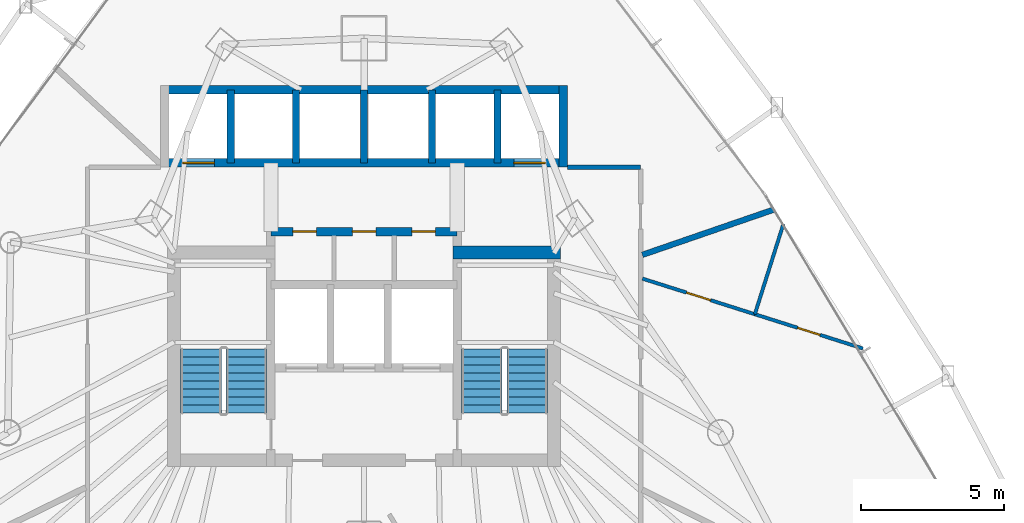
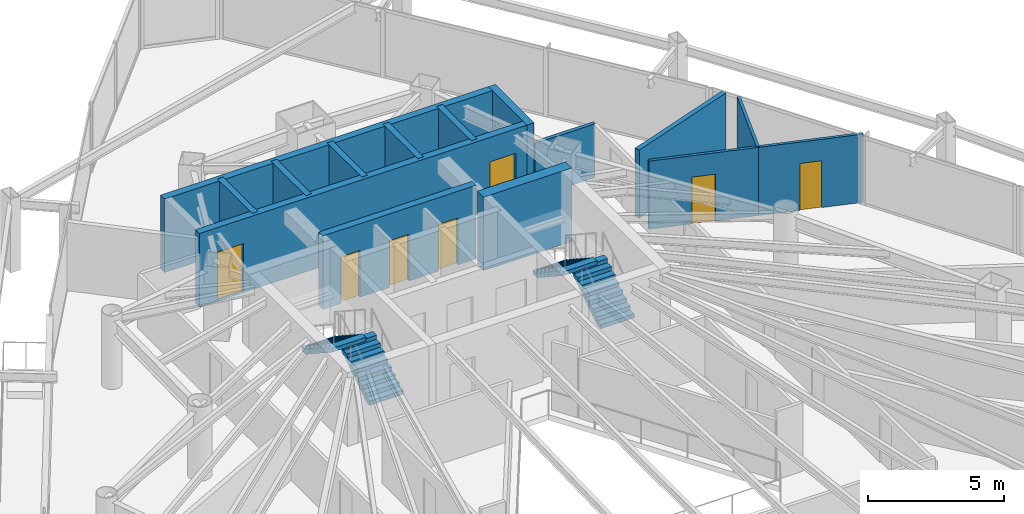
# One storey, part 31 of 35: 15 walls, 7 doors, 4 stair flights, 7 openings, 2 elements without a shape of their own.
"""IFC4 building model written with IfcOpenShell, lengths in metres."""

from ifc_helpers import new_model, si_unit, direction, frame, frame_2d, origin, place, context, subcontext, project, spatial, polyline, rectangle, outline, extrude, material, layer, layer_set, type_object, element, fill, aggregate, save


model = new_model("IFC4")

# Units and contexts
model_context = context("Model", 3, precision=1e-05, world=origin(), true_north=direction((0.0, 1.0)))
body_context = subcontext(model_context, "Body", "Model", "MODEL_VIEW")
ifc_project = project(units=[si_unit("LENGTHUNIT", "METRE"), si_unit("AREAUNIT", "SQUARE_METRE"), si_unit("VOLUMEUNIT", "CUBIC_METRE"), si_unit("PLANEANGLEUNIT", "RADIAN"), si_unit("MASSUNIT", "GRAM", prefix="KILO")], contexts=[model_context])

# Site, building, storey
site_placement = place(None, origin())
site = spatial("IfcSite", under=ifc_project, at=site_placement, CompositionType="ELEMENT")
building_placement = place(site_placement, origin())
building = spatial("IfcBuilding", under=site, at=building_placement, Name="Orvanel Arch Residences", CompositionType="ELEMENT")
storey_placement = place(building_placement, frame((0.0, 0.0, 36.800048828125)))
storey = spatial("IfcBuildingStorey", under=building, at=storey_placement, Name="L09", CompositionType="ELEMENT", Elevation=36.800048828125)

# Walls
ifc_material_1 = material(Name="Concrete N50 (50 MPa)", Category="concrete")
ifc_layer_1 = layer(ifc_material_1, 0.25)
ifc_layer_set_1 = layer_set([ifc_layer_1], Name="Concrete N50 (50 MPa)")
wall_type_1 = type_object("IfcWallType", Name="SW-CORE-250", PredefinedType="SHEAR", material=ifc_layer_set_1)
for number, where, z_axis, x_axis, name in (
    (1, (28.35009765625, 37.050048828125, 0.0), (0.0, 0.0, 1.0), (0.0, 1.0, 0.0), "L09 Passenger Lift Inter-Shaft Wall P13"),
    (2, (30.625, 37.050048828125, 0.0), (0.0, 0.0, 1.0), (0.0, 1.0, 0.0), "L09 Passenger Lift Inter-Shaft Wall P35"),
    (3, (33.0, 37.050048828125, 0.0), (0.0, 0.0, 1.0), (0.0, 1.0, 0.0), "L09 Passenger Lift Inter-Shaft Wall P56"),
    (4, (35.375, 37.050048828125, 0.0), (0.0, 0.0, 1.0), (0.0, 1.0, 0.0), "L09 Passenger Lift Inter-Shaft Wall P64"),
    (5, (37.64990234375, 37.050048828125, 0.0), (0.0, 0.0, 1.0), (0.0, 1.0, 0.0), "L09 Passenger Lift Inter-Shaft Wall P42"),
):
    element("IfcWall", number, at=place(storey_placement, frame(where, z_axis=z_axis, x_axis=x_axis)), inside=storey, type_object=wall_type_1, Name=name, PredefinedType="SHEAR", context=body_context, shape_type="SweptSolid", body=[
        extrude(rectangle(XDim=2.550048828125, YDim=0.25, at=frame_2d((1.27490234375, 0.0))), origin(), (0.0, 0.0, 1.0), 3.300048828125),
    ])

# Wall, openings, doors
ifc_material_2 = material(Name="Concrete S80 (80 MPa)", Category="concrete")
ifc_layer_2 = layer(ifc_material_2, 0.300048828125)
ifc_layer_set_2 = layer_set([ifc_layer_2], Name="Concrete S80 (80 MPa)")
wall_type_2 = type_object("IfcWallType", Name="SW-CORE-300", PredefinedType="SHEAR", material=ifc_layer_set_2)
wall_1_placement = place(storey_placement, frame((29.75, 34.64990234375, 0.0), z_axis=(0.0, 0.0, 1.0), x_axis=(1.0, 0.0, 0.0)))
wall_1 = element("IfcWall", 6, at=wall_1_placement, inside=storey, type_object=wall_type_2, Name="L09 Core Service Band North Shear Wall", PredefinedType="SHEAR", context=body_context, shape_type="SweptSolid", body=[
    extrude(rectangle(XDim=6.5, YDim=0.300048828125, at=frame_2d((3.25, 0.0))), origin(), (0.0, 0.0, 1.0), 3.300048828125),
])
opening_1_placement = place(wall_1_placement, frame((0.764892578125, 0.0, 0.0)))
opening_1 = element("IfcOpeningElement", 7, at=opening_1_placement, cuts=wall_1, Name="Opening DS-082", PredefinedType="OPENING", context=body_context, shape_type="SweptSolid", body=[
    extrude(rectangle(XDim=0.820068359375, YDim=2.10009765625, at=frame_2d((0.41015625, 1.050048828125))), frame((0.0, 0.159912109375, 0.0), z_axis=(0.0, -1.0, 0.0), x_axis=(1.0, 0.0, 0.0)), (0.0, 0.0, 1.0), 0.320068359375),
])
opening_2_placement = place(wall_1_placement, frame((2.840087890625, 0.0, 0.0)))
opening_2 = element("IfcOpeningElement", 8, at=opening_2_placement, cuts=wall_1, Name="Opening DS-082", PredefinedType="OPENING", context=body_context, shape_type="SweptSolid", body=[
    extrude(rectangle(XDim=0.820068359375, YDim=2.10009765625, at=frame_2d((0.41015625, 1.050048828125))), frame((0.0, 0.159912109375, 0.0), z_axis=(0.0, -1.0, 0.0), x_axis=(1.0, 0.0, 0.0)), (0.0, 0.0, 1.0), 0.320068359375),
])
opening_3_placement = place(wall_1_placement, frame((4.9150390625, 0.0, 0.0)))
opening_3 = element("IfcOpeningElement", 9, at=opening_3_placement, cuts=wall_1, Name="Opening DS-082", PredefinedType="OPENING", context=body_context, shape_type="SweptSolid", body=[
    extrude(rectangle(XDim=0.820068359375, YDim=2.10009765625, at=frame_2d((0.41015625, 1.050048828125))), frame((0.0, 0.159912109375, 0.0), z_axis=(0.0, -1.0, 0.0), x_axis=(1.0, 0.0, 0.0)), (0.0, 0.0, 1.0), 0.320068359375),
])
ifc_material_3 = material(Name="Galvanised steel fire-resisting door assembly", Category="steel")
door_type_1 = type_object("IfcDoorType", Name="DR-SVC-820", OperationType="NOTDEFINED", PredefinedType="DOOR", material=ifc_material_3)
door_1_placement = place(opening_1_placement, origin())
door_1 = element("IfcDoor", 10, at=door_1_placement, inside=storey, type_object=door_type_1, Name="DR-L09-CSVC-1 L09 Housekeeping Store Door", OperationType="SINGLE_SWING_LEFT", OverallHeight=2.10009765625, OverallWidth=0.820068359375, PredefinedType="DOOR", context=body_context, shape_type="SweptSolid", body=[
    extrude(rectangle(XDim=0.820068359375, YDim=2.10009765625, at=frame_2d((0.41015625, 1.050048828125))), frame((0.0, 0.02490234375, 0.0), z_axis=(0.0, -1.0, 0.0), x_axis=(1.0, 0.0, 0.0)), (0.0, 0.0, 1.0), 0.050048828125),
])
fill(opening_1, door_1)
door_2_placement = place(opening_2_placement, origin())
door_2 = element("IfcDoor", 11, at=door_2_placement, inside=storey, type_object=door_type_1, Name="DR-L09-CSVC-2 L09 Cleaner's Store Door", OperationType="SINGLE_SWING_LEFT", OverallHeight=2.10009765625, OverallWidth=0.820068359375, PredefinedType="DOOR", context=body_context, shape_type="SweptSolid", body=[
    extrude(rectangle(XDim=0.820068359375, YDim=2.10009765625, at=frame_2d((0.41015625, 1.050048828125))), frame((0.0, 0.02490234375, 0.0), z_axis=(0.0, -1.0, 0.0), x_axis=(1.0, 0.0, 0.0)), (0.0, 0.0, 1.0), 0.050048828125),
])
fill(opening_2, door_2)
door_3_placement = place(opening_3_placement, origin())
door_3 = element("IfcDoor", 12, at=door_3_placement, inside=storey, type_object=door_type_1, Name="DR-L09-CSVC-3 L09 Comms Riser Store Door", OperationType="SINGLE_SWING_LEFT", OverallHeight=2.10009765625, OverallWidth=0.820068359375, PredefinedType="DOOR", context=body_context, shape_type="SweptSolid", body=[
    extrude(rectangle(XDim=0.820068359375, YDim=2.10009765625, at=frame_2d((0.41015625, 1.050048828125))), frame((0.0, 0.02490234375, 0.0), z_axis=(0.0, -1.0, 0.0), x_axis=(1.0, 0.0, 0.0)), (0.0, 0.0, 1.0), 0.050048828125),
])
fill(opening_3, door_3)

wall_2_placement = place(storey_placement, frame((40.10009765625, 37.050048828125, 0.0), z_axis=(0.0, 0.0, 1.0), x_axis=(-1.0, 0.0, 0.0)))
wall_2 = element("IfcWall", 13, at=wall_2_placement, inside=storey, type_object=wall_type_2, Name="L09 Passenger Lift Bank Front Shear Wall", PredefinedType="SHEAR", context=body_context, shape_type="SweptSolid", body=[
    extrude(rectangle(XDim=14.2001953125, YDim=0.300048828125, at=frame_2d((7.10009765625, 0.0))), origin(), (0.0, 0.0, 1.0), 3.300048828125),
])
opening_4_placement = place(wall_2_placement, frame((12.324951171875, 0.0, 0.0)))
opening_4 = element("IfcOpeningElement", 14, at=opening_4_placement, cuts=wall_2, Name="Opening LD-110", PredefinedType="OPENING", context=body_context, shape_type="SweptSolid", body=[
    extrude(rectangle(XDim=1.10009765625, YDim=2.199951171875, at=frame_2d((0.550048828125, 1.10009765625))), frame((0.0, 0.159912109375, 0.0), z_axis=(0.0, -1.0, 0.0), x_axis=(1.0, 0.0, 0.0)), (0.0, 0.0, 1.0), 0.320068359375),
])
opening_5_placement = place(wall_2_placement, frame((0.77490234375, 0.0, 0.0)))
opening_5 = element("IfcOpeningElement", 15, at=opening_5_placement, cuts=wall_2, Name="Opening LD-110", PredefinedType="OPENING", context=body_context, shape_type="SweptSolid", body=[
    extrude(rectangle(XDim=1.10009765625, YDim=2.199951171875, at=frame_2d((0.550048828125, 1.10009765625))), frame((0.0, 0.159912109375, 0.0), z_axis=(0.0, -1.0, 0.0), x_axis=(1.0, 0.0, 0.0)), (0.0, 0.0, 1.0), 0.320068359375),
])
door_type_2 = type_object("IfcDoorType", Name="DR-LFT-1100", OperationType="NOTDEFINED", PredefinedType="DOOR", material=ifc_material_3)
door_4_placement = place(opening_4_placement, origin())
door_4 = element("IfcDoor", 16, at=door_4_placement, inside=storey, type_object=door_type_2, Name="LD-P1-L09 L09 Passenger Lift P1 Sliding Landing Door", OperationType="DOUBLE_DOOR_SLIDING", OverallHeight=2.199951171875, OverallWidth=1.10009765625, PredefinedType="DOOR", context=body_context, shape_type="SweptSolid", body=[
    extrude(rectangle(XDim=1.10009765625, YDim=2.199951171875, at=frame_2d((0.550048828125, 1.10009765625))), frame((0.0, 0.02490234375, 0.0), z_axis=(0.0, -1.0, 0.0), x_axis=(1.0, 0.0, 0.0)), (0.0, 0.0, 1.0), 0.050048828125),
])
fill(opening_4, door_4)
door_5_placement = place(opening_5_placement, origin())
door_5 = element("IfcDoor", 17, at=door_5_placement, inside=storey, type_object=door_type_2, Name="LD-P2-L09 L09 Passenger Lift P2 Sliding Landing Door", OperationType="DOUBLE_DOOR_SLIDING", OverallHeight=2.199951171875, OverallWidth=1.10009765625, PredefinedType="DOOR", context=body_context, shape_type="SweptSolid", body=[
    extrude(rectangle(XDim=1.10009765625, YDim=2.199951171875, at=frame_2d((0.550048828125, 1.10009765625))), frame((0.0, 0.02490234375, 0.0), z_axis=(0.0, -1.0, 0.0), x_axis=(1.0, 0.0, 0.0)), (0.0, 0.0, 1.0), 0.050048828125),
])
fill(opening_5, door_5)

# Walls
wall_3_placement = place(storey_placement, frame((25.89990234375, 39.60009765625, 0.0), z_axis=(0.0, 0.0, 1.0), x_axis=(1.0, 0.0, 0.0)))
element("IfcWall", 18, at=wall_3_placement, inside=storey, type_object=wall_type_2, Name="L09 Passenger Lift Bank North Shear Wall", PredefinedType="SHEAR", context=body_context, shape_type="SweptSolid", body=[
    extrude(rectangle(XDim=14.2001953125, YDim=0.300048828125, at=frame_2d((7.10009765625, 0.0))), origin(), (0.0, 0.0, 1.0), 3.300048828125),
])
wall_4_placement = place(storey_placement, frame((39.949951171875, 36.89990234375, 0.0), z_axis=(0.0, 0.0, 1.0), x_axis=(0.0, 1.0, 0.0)))
element("IfcWall", 19, at=wall_4_placement, inside=storey, type_object=wall_type_2, Name="L09 Passenger Lift Bank East Shear Wall", PredefinedType="SHEAR", context=body_context, shape_type="SweptSolid", body=[
    extrude(rectangle(XDim=2.85009765625, YDim=0.300048828125, at=frame_2d((1.425048828125, 0.0))), origin(), (0.0, 0.0, 1.0), 3.300048828125),
])
ifc_layer_3 = layer(ifc_material_2, 0.449951171875)
ifc_layer_set_3 = layer_set([ifc_layer_3], Name="Concrete S80 (80 MPa)")
wall_type_3 = type_object("IfcWallType", Name="SW-CORE-450", PredefinedType="SHEAR", material=ifc_layer_set_3)
wall_5_placement = place(storey_placement, frame((36.10009765625, 33.925048828125, 0.0), z_axis=(0.0, 0.0, 1.0), x_axis=(1.0, 0.0, 0.0)))
element("IfcWall", 20, at=wall_5_placement, inside=storey, type_object=wall_type_3, Name="L09 East Stair North Shear Wall", PredefinedType="SHEAR", context=body_context, shape_type="SweptSolid", body=[
    extrude(rectangle(XDim=3.75, YDim=0.449951171875, at=frame_2d((1.875, 0.0))), origin(), (0.0, 0.0, 1.0), 3.300048828125),
])
ifc_material_4 = material(Name="Fire-rated plasterboard lined steel stud partition", Category="steel")
ifc_layer_4 = layer(ifc_material_4, 0.14990234375)
ifc_layer_set_4 = layer_set([ifc_layer_4], Name="Fire-rated plasterboard lined steel stud partition")
wall_type_4 = type_object("IfcWallType", Name="W-COR-150", PredefinedType="PARTITIONING", material=ifc_layer_set_4)
wall_6_placement = place(storey_placement, frame((40.10009765625, 36.89990234375, 0.0), z_axis=(0.0, 0.0, 1.0), x_axis=(1.0, 0.0, 0.0)))
element("IfcWall", 21, at=wall_6_placement, inside=storey, type_object=wall_type_4, Name="L09 Corridor Fire-Rated Partition", PredefinedType="PARTITIONING", context=body_context, shape_type="SweptSolid", body=[
    extrude(rectangle(XDim=2.5498046875, YDim=0.14990234375, at=frame_2d((1.27490234375, 0.0))), origin(), (0.0, 0.0, 1.0), 2.412841796875),
])
ifc_layer_5 = layer(ifc_material_4, 0.199951171875)
ifc_layer_set_5 = layer_set([ifc_layer_5], Name="Fire-rated plasterboard lined steel stud partition")
wall_type_5 = type_object("IfcWallType", Name="W-DEM-200", PredefinedType="PARTITIONING", material=ifc_layer_set_5)
wall_7_placement = place(storey_placement, frame((47.303955078125, 35.425048828125, 0.0), z_axis=(0.0, 0.0, 1.0), x_axis=(-0.945506397197, -0.325603520956, 0.0)))
element("IfcWall", 22, at=wall_7_placement, inside=storey, type_object=wall_type_5, Name="L09 Inter-Tenancy Acoustic Demising Wall", PredefinedType="PARTITIONING", context=body_context, shape_type="SweptSolid", body=[
    extrude(rectangle(XDim=4.85888671875, YDim=0.199951171875, at=frame_2d((2.429443359375, 0.0))), origin(), (0.0, 0.0, 1.0), 3.06005859375),
])

# Wall, opening, door
ifc_material_5 = material(Name="Acoustic plasterboard lined twin-stud partition", Category="gypsum")
ifc_layer_6 = layer(ifc_material_5, 0.1201171875)
ifc_layer_set_6 = layer_set([ifc_layer_6], Name="Acoustic plasterboard lined twin-stud partition")
wall_type_6 = type_object("IfcWallType", Name="W-WET-120", PredefinedType="PARTITIONING", material=ifc_layer_set_6)
wall_8_placement = place(storey_placement, frame((46.633056640625, 31.77099609375, 0.0), z_axis=(0.0, 0.0, 1.0), x_axis=(0.953252758263, -0.302174087016, 0.0)))
wall_8 = element("IfcWall", 23, at=wall_8_placement, inside=storey, type_object=wall_type_6, Name="L09 Studio I Bathroom Partition", PredefinedType="PARTITIONING", context=body_context, shape_type="SweptSolid", body=[
    extrude(rectangle(XDim=3.954833984375, YDim=0.1201171875, at=frame_2d((1.9775390625, 0.0))), origin(), (0.0, 0.0, 1.0), 3.06005859375),
])
opening_6_placement = place(wall_8_placement, frame((1.56689453125, 0.0, 0.0)))
opening_6 = element("IfcOpeningElement", 24, at=opening_6_placement, cuts=wall_8, Name="Opening DW-082", PredefinedType="OPENING", context=body_context, shape_type="SweptSolid", body=[
    extrude(rectangle(XDim=0.820068359375, YDim=2.10009765625, at=frame_2d((0.41015625, 1.050048828125))), frame((0.0, 0.070068359375, 0.0), z_axis=(0.0, -1.0, 0.0), x_axis=(1.0, 0.0, 0.0)), (0.0, 0.0, 1.0), 0.14013671875),
])
ifc_material_6 = material(Name="Solid-core European oak veneer fire door leaf", Category="wood")
door_type_3 = type_object("IfcDoorType", Name="DR-WET-820", OperationType="NOTDEFINED", PredefinedType="DOOR", material=ifc_material_6)
door_6_placement = place(opening_6_placement, origin())
door_6 = element("IfcDoor", 25, at=door_6_placement, inside=storey, type_object=door_type_3, Name="DR-L09-I-BATH L09 Studio I Bathroom Door", OperationType="SINGLE_SWING_RIGHT", OverallHeight=2.10009765625, OverallWidth=0.820068359375, PredefinedType="DOOR", context=body_context, shape_type="SweptSolid", body=[
    extrude(rectangle(XDim=0.820068359375, YDim=2.10009765625, at=frame_2d((0.41015625, 1.050048828125))), frame((0.0, 0.02490234375, 0.0), z_axis=(0.0, -1.0, 0.0), x_axis=(1.0, 0.0, 0.0)), (0.0, 0.0, 1.0), 0.050048828125),
])
fill(opening_6, door_6)

wall_9_placement = place(storey_placement, frame((42.7099609375, 33.013916015625, 0.0), z_axis=(0.0, 0.0, 1.0), x_axis=(0.953299814988, -0.302025599484, 0.0)))
wall_9 = element("IfcWall", 26, at=wall_9_placement, inside=storey, type_object=wall_type_6, Name="L09 Studio I Internal Partition", PredefinedType="PARTITIONING", context=body_context, shape_type="SweptSolid", body=[
    extrude(rectangle(XDim=4.115234375, YDim=0.1201171875, at=frame_2d((2.0576171875, 0.0))), origin(), (0.0, 0.0, 1.0), 3.06005859375),
])
opening_7_placement = place(wall_9_placement, frame((1.617919921875, 0.0, 0.0)))
opening_7 = element("IfcOpeningElement", 27, at=opening_7_placement, cuts=wall_9, Name="Opening DI-088", PredefinedType="OPENING", context=body_context, shape_type="SweptSolid", body=[
    extrude(rectangle(XDim=0.8798828125, YDim=2.10009765625, at=frame_2d((0.43994140625, 1.050048828125))), frame((0.0, 0.070068359375, 0.0), z_axis=(0.0, -1.0, 0.0), x_axis=(1.0, 0.0, 0.0)), (0.0, 0.0, 1.0), 0.14013671875),
])
door_type_4 = type_object("IfcDoorType", Name="DR-INT-880", OperationType="NOTDEFINED", PredefinedType="DOOR", material=ifc_material_6)
door_7_placement = place(opening_7_placement, origin())
door_7 = element("IfcDoor", 28, at=door_7_placement, inside=storey, type_object=door_type_4, Name="DR-L09-I-KIT L09 Studio I Kitchenette Door", OperationType="SINGLE_SWING_LEFT", OverallHeight=2.10009765625, OverallWidth=0.8798828125, PredefinedType="DOOR", context=body_context, shape_type="SweptSolid", body=[
    extrude(rectangle(XDim=0.8798828125, YDim=2.10009765625, at=frame_2d((0.43994140625, 1.050048828125))), frame((0.0, 0.02490234375, 0.0), z_axis=(0.0, -1.0, 0.0), x_axis=(1.0, 0.0, 0.0)), (0.0, 0.0, 1.0), 0.050048828125),
])
fill(opening_7, door_7)

# Wall
wall_10_placement = place(storey_placement, frame((46.633056640625, 31.77099609375, 0.0), z_axis=(0.0, 0.0, 1.0), x_axis=(0.301799891186, 0.953371294764, 0.0)))
element("IfcWall", 29, at=wall_10_placement, inside=storey, type_object=wall_type_6, Name="L09 Studio I Bathroom Partition", PredefinedType="PARTITIONING", context=body_context, shape_type="SweptSolid", body=[
    extrude(rectangle(XDim=3.302978515625, YDim=0.1201171875, at=frame_2d((1.6513671875, 0.0))), origin(), (0.0, 0.0, 1.0), 3.06005859375),
])

# Stair, stair flights
ifc_material_7 = material(Name="Precast concrete N50 (50 MPa)", Category="concrete")
stair_type = type_object("IfcStairType", Name="STR-DOG-184", PredefinedType="USERDEFINED", material=ifc_material_7)
stair_1_placement = place(storey_placement, origin())
stair_1 = element("IfcStair", 30, at=stair_1_placement, inside=storey, type_object=stair_type, Name="L09 Fire-Isolated Core Exit Stair 1", ObjectType="TWO_RETURN_STAIR", PredefinedType="USERDEFINED")
stair_flight_type_1 = type_object("IfcStairFlightType", Name="SFL-C1-184", PredefinedType="STRAIGHT", material=ifc_material_7)
stair_flight_1_placement = place(storey_placement, frame((28.889892578125, 28.320068359375, 0.0), z_axis=(0.0, 0.0, 1.0), x_axis=(0.0, 1.0, 0.0)))
stair_flight_1 = element("IfcStairFlight", 31, at=stair_flight_1_placement, type_object=stair_flight_type_1, Name="ST-1 flight 1", NumberOfRisers=9, NumberOfTreads=8, PredefinedType="STRAIGHT", RiserHeight=0.183333333, TreadLength=0.28, context=body_context, shape_type="SweptSolid", body=[
    extrude(outline(polyline([(0.0, 0.0), (0.0, 0.183349609375), (0.280029296875, 0.183349609375), (0.280029296875, 0.36669921875), (0.56005859375, 0.36669921875), (0.56005859375, 0.550048828125), (0.840087890625, 0.550048828125), (0.840087890625, 0.7333984375), (1.1201171875, 0.7333984375), (1.1201171875, 0.916748046875), (1.39990234375, 0.916748046875), (1.39990234375, 1.10009765625), (1.679931640625, 1.10009765625), (1.679931640625, 1.283447265625), (1.9599609375, 1.283447265625), (1.9599609375, 1.466552734375), (2.239990234375, 1.466552734375), (2.239990234375, 1.64990234375), (2.239990234375, 1.28759765625), (0.273681640625, 0.0), (0.0, 0.0)])), frame((0.0, 0.7099609375, 0.0), z_axis=(0.0, -1.0, 0.0), x_axis=(1.0, 0.0, 0.0)), (0.0, 0.0, 1.0), 1.419921875),
])
stair_flight_2_placement = place(storey_placement, frame((27.31005859375, 30.56005859375, 1.64990234375), z_axis=(0.0, 0.0, 1.0), x_axis=(0.0, -1.0, 0.0)))
stair_flight_2 = element("IfcStairFlight", 32, at=stair_flight_2_placement, type_object=stair_flight_type_1, Name="ST-1 flight 2", NumberOfRisers=9, NumberOfTreads=8, PredefinedType="STRAIGHT", RiserHeight=0.183333333, TreadLength=0.28, context=body_context, shape_type="SweptSolid", body=[
    extrude(outline(polyline([(0.0, 0.0), (0.0, 0.183349609375), (0.280029296875, 0.183349609375), (0.280029296875, 0.36669921875), (0.56005859375, 0.36669921875), (0.56005859375, 0.550048828125), (0.840087890625, 0.550048828125), (0.840087890625, 0.7333984375), (1.1201171875, 0.7333984375), (1.1201171875, 0.916748046875), (1.39990234375, 0.916748046875), (1.39990234375, 1.10009765625), (1.679931640625, 1.10009765625), (1.679931640625, 1.283447265625), (1.9599609375, 1.283447265625), (1.9599609375, 1.466552734375), (2.239990234375, 1.466552734375), (2.239990234375, 1.64990234375), (2.239990234375, 1.28759765625), (0.273681640625, 0.0), (0.0, 0.0)])), frame((0.0, 0.7099609375, 0.0), z_axis=(0.0, -1.0, 0.0), x_axis=(1.0, 0.0, 0.0)), (0.0, 0.0, 1.0), 1.419921875),
])
aggregate(stair_1, [stair_flight_1, stair_flight_2])

stair_2_placement = place(storey_placement, origin())
stair_2 = element("IfcStair", 33, at=stair_2_placement, inside=storey, type_object=stair_type, Name="L09 Fire-Isolated Core Exit Stair 2", ObjectType="TWO_RETURN_STAIR", PredefinedType="USERDEFINED")
stair_flight_type_2 = type_object("IfcStairFlightType", Name="SFL-C2-184", PredefinedType="STRAIGHT", material=ifc_material_7)
stair_flight_3_placement = place(storey_placement, frame((38.68994140625, 28.320068359375, 0.0), z_axis=(0.0, 0.0, 1.0), x_axis=(0.0, 1.0, 0.0)))
stair_flight_3 = element("IfcStairFlight", 34, at=stair_flight_3_placement, type_object=stair_flight_type_2, Name="ST-2 flight 1", NumberOfRisers=9, NumberOfTreads=8, PredefinedType="STRAIGHT", RiserHeight=0.183333333, TreadLength=0.28, context=body_context, shape_type="SweptSolid", body=[
    extrude(outline(polyline([(0.0, 0.0), (0.0, 0.183349609375), (0.280029296875, 0.183349609375), (0.280029296875, 0.36669921875), (0.56005859375, 0.36669921875), (0.56005859375, 0.550048828125), (0.840087890625, 0.550048828125), (0.840087890625, 0.7333984375), (1.1201171875, 0.7333984375), (1.1201171875, 0.916748046875), (1.39990234375, 0.916748046875), (1.39990234375, 1.10009765625), (1.679931640625, 1.10009765625), (1.679931640625, 1.283447265625), (1.9599609375, 1.283447265625), (1.9599609375, 1.466552734375), (2.239990234375, 1.466552734375), (2.239990234375, 1.64990234375), (2.239990234375, 1.28759765625), (0.273681640625, 0.0), (0.0, 0.0)])), frame((0.0, 0.7099609375, 0.0), z_axis=(0.0, -1.0, 0.0), x_axis=(1.0, 0.0, 0.0)), (0.0, 0.0, 1.0), 1.419921875),
])
stair_flight_4_placement = place(storey_placement, frame((37.110107421875, 30.56005859375, 1.64990234375), z_axis=(0.0, 0.0, 1.0), x_axis=(0.0, -1.0, 0.0)))
stair_flight_4 = element("IfcStairFlight", 35, at=stair_flight_4_placement, type_object=stair_flight_type_2, Name="ST-2 flight 2", NumberOfRisers=9, NumberOfTreads=8, PredefinedType="STRAIGHT", RiserHeight=0.183333333, TreadLength=0.28, context=body_context, shape_type="SweptSolid", body=[
    extrude(outline(polyline([(0.0, 0.0), (0.0, 0.183349609375), (0.280029296875, 0.183349609375), (0.280029296875, 0.36669921875), (0.56005859375, 0.36669921875), (0.56005859375, 0.550048828125), (0.840087890625, 0.550048828125), (0.840087890625, 0.7333984375), (1.1201171875, 0.7333984375), (1.1201171875, 0.916748046875), (1.39990234375, 0.916748046875), (1.39990234375, 1.10009765625), (1.679931640625, 1.10009765625), (1.679931640625, 1.283447265625), (1.9599609375, 1.283447265625), (1.9599609375, 1.466552734375), (2.239990234375, 1.466552734375), (2.239990234375, 1.64990234375), (2.239990234375, 1.28759765625), (0.273681640625, 0.0), (0.0, 0.0)])), frame((0.0, 0.7099609375, 0.0), z_axis=(0.0, -1.0, 0.0), x_axis=(1.0, 0.0, 0.0)), (0.0, 0.0, 1.0), 1.419921875),
])
aggregate(stair_2, [stair_flight_3, stair_flight_4])

save(model, "model.ifc")
